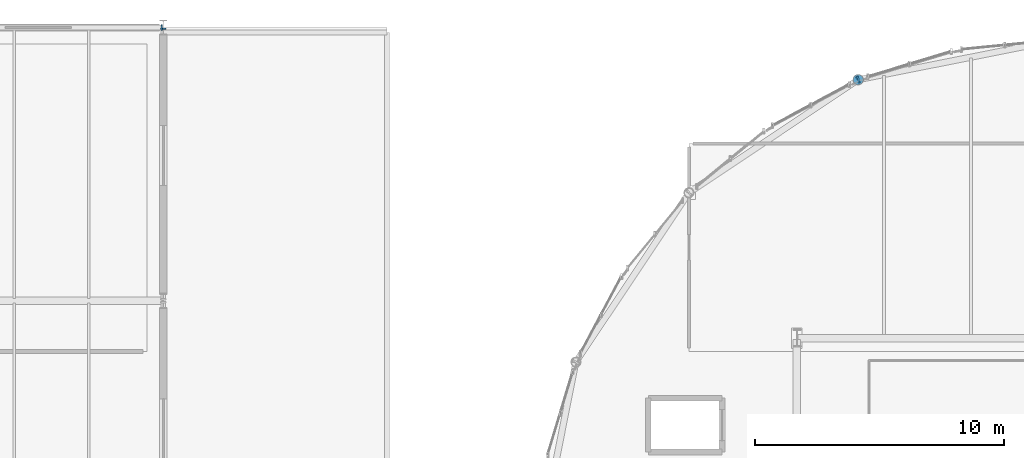
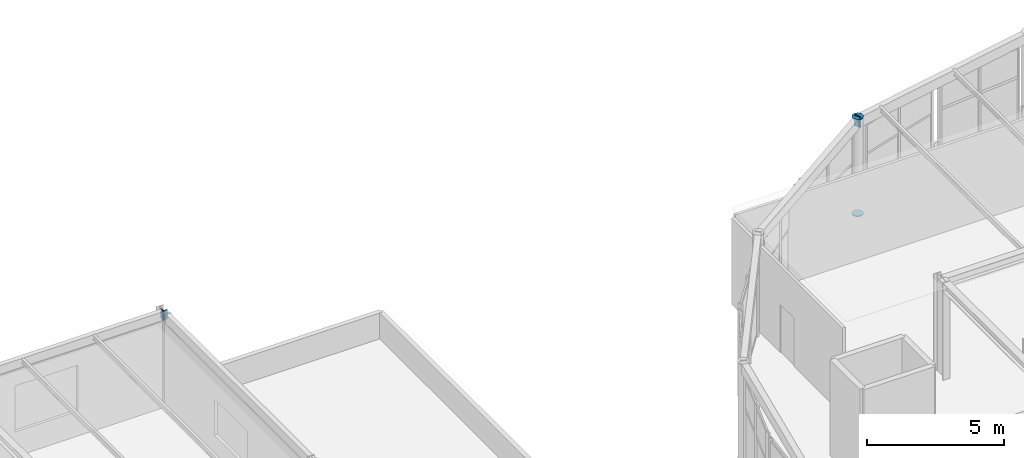
# One storey, part 85 of 105: 6 discrete accessories.
"""IFC4 building model written with IfcOpenShell, lengths in metres."""

import ifcopenshell
import ifcopenshell.guid

model = None  # the IFC model being written
_history = None  # IfcOwnerHistory: only IFC2X3 demands one
_inside = {}  # id of a spatial element -> (the spatial element, [elements in it])
_under = {}  # id of a project, library or spatial element -> (it, [spatial elements below it])
_declared = {}  # id of a project -> (the project, [libraries it declares])
_typed = {}  # id of a type object -> (the type object, [elements of that type])
_made_of = {}  # id of a material, layer set ... -> (it, [elements and type objects made of it])


def new_model(schema):
    """Start an empty IFC model of exactly this schema.

    Asked for "IFC4X3", IfcOpenShell would pick the latest addendum, in which some entities
    have other attributes; the version numbers below select the first issue.
    IFC2X3 requires an IfcOwnerHistory on every rooted entity: one is made here for all.
    """
    global model, _history
    if schema == "IFC4X3":
        model = ifcopenshell.file(schema_version=(4, 3, 0, 0))
    else:
        model = ifcopenshell.file(schema=schema)
    _inside.clear()
    _under.clear()
    _declared.clear()
    _typed.clear()
    _made_of.clear()
    _history = None
    if model.schema == "IFC2X3":
        org = make("IfcOrganization", Name="unknown")
        user = make(
            "IfcPersonAndOrganization",
            ThePerson=make("IfcPerson", FamilyName="unknown"),
            TheOrganization=org,
        )
        app = make(
            "IfcApplication",
            ApplicationDeveloper=org,
            Version="unknown",
            ApplicationFullName="unknown",
            ApplicationIdentifier="unknown",
        )
        _history = make(
            "IfcOwnerHistory",
            OwningUser=user,
            OwningApplication=app,
            ChangeAction="ADDED",
            CreationDate=0,
        )
    return model


def make(cls, **values):
    """One entity of the class cls with the attributes given. An attribute that is None is left unset."""
    return model.create_entity(
        cls, **{name: value for name, value in values.items() if value is not None}
    )


def rooted(cls, **values):
    """An entity with a GlobalId (a new one), such as an element, a storey or a relation."""
    return make(cls, GlobalId=ifcopenshell.guid.new(), OwnerHistory=_history, **values)


def si_unit(unit_type, name, prefix=None):
    """IfcSIUnit, for example si_unit("LENGTHUNIT", "METRE", prefix="MILLI")."""
    return make("IfcSIUnit", UnitType=unit_type, Prefix=prefix, Name=name)


def assignment(units):
    """IfcUnitAssignment: the units of a project."""
    return None if units is None else make("IfcUnitAssignment", Units=units)


def point(xyz):
    """IfcCartesianPoint."""
    return None if xyz is None else make("IfcCartesianPoint", Coordinates=xyz)


def direction(xyz):
    """IfcDirection."""
    return None if xyz is None else make("IfcDirection", DirectionRatios=xyz)


def frame(location, z_axis=None, x_axis=None):
    """IfcAxis2Placement3D, a coordinate frame: its origin and axes. An axis left out is left unset."""
    return make(
        "IfcAxis2Placement3D",
        Location=point(location),
        Axis=direction(z_axis),
        RefDirection=direction(x_axis),
    )


def frame_2d(location, x_axis=None):
    """IfcAxis2Placement2D, a coordinate frame in the plane: its origin and x axis."""
    return make(
        "IfcAxis2Placement2D", Location=point(location), RefDirection=direction(x_axis)
    )


def origin():
    """The frame at (0, 0, 0) with its axes left unset."""
    return frame((0.0, 0.0, 0.0))


def origin_2d():
    """The frame at (0, 0) in the plane with its x axis left unset."""
    return frame_2d((0.0, 0.0))


def place(relative_to, where):
    """IfcLocalPlacement: puts the frame where relative to a parent placement (None: the world)."""
    return make(
        "IfcLocalPlacement", PlacementRelTo=relative_to, RelativePlacement=where
    )


def context(
    kind, dimensions, precision=None, world=None, true_north=None, identifier=None
):
    """IfcGeometricRepresentationContext, for example the 3D "Model" context."""
    return make(
        "IfcGeometricRepresentationContext",
        ContextIdentifier=identifier,
        ContextType=kind,
        CoordinateSpaceDimension=dimensions,
        Precision=precision,
        WorldCoordinateSystem=world,
        TrueNorth=true_north,
    )


def subcontext(parent, identifier, kind, view, scale=None):
    """IfcGeometricRepresentationSubContext, for example "Body" below "Model"."""
    return make(
        "IfcGeometricRepresentationSubContext",
        ContextIdentifier=identifier,
        ContextType=kind,
        ParentContext=parent,
        TargetScale=scale,
        TargetView=view,
    )


def project(units=None, contexts=None):
    """IfcProject with its units and contexts."""
    return rooted(
        "IfcProject",
        Name="project",
        RepresentationContexts=contexts,
        UnitsInContext=assignment(units),
    )


def spatial(cls, under=None, at=None, **own):
    """A site, building, storey or space (cls), placed at a placement, below another one or the project."""
    s = rooted(cls, ObjectPlacement=at, **own)
    if under is not None:
        _under.setdefault(under.id(), (under, []))[1].append(s)
    return s


def profile(cls, at=None, kind="AREA", **sizes):
    """A parametric profile (cls). Its sizes go by their IFC names, for example OverallWidth=200.0."""
    return make(cls, ProfileType=kind, Position=at, **sizes)


def rectangle(**sizes):
    """IfcRectangleProfileDef."""
    return profile("IfcRectangleProfileDef", **sizes)


def circle(**sizes):
    """IfcCircleProfileDef."""
    return profile("IfcCircleProfileDef", **sizes)


def extrude(swept, where, along, depth):
    """IfcExtrudedAreaSolid: the profile swept, set in the frame where, extruded along a direction by depth."""
    return make(
        "IfcExtrudedAreaSolid",
        SweptArea=swept,
        Position=where,
        ExtrudedDirection=direction(along),
        Depth=depth,
    )


def shape(context_of_items, identifier, shape_type, items):
    """IfcShapeRepresentation: the items that make up one representation, for example the "Body"."""
    return make(
        "IfcShapeRepresentation",
        ContextOfItems=context_of_items,
        RepresentationIdentifier=identifier,
        RepresentationType=shape_type,
        Items=items,
    )


def material(Name=None, Category=None):
    """IfcMaterial."""
    return make("IfcMaterial", Name=Name, Category=Category)


def made_of(thing, what):
    """Note that an element or type object is made of a material, layer set ...; save() writes the relation."""
    if what is not None:
        _made_of.setdefault(what.id(), (what, []))[1].append(thing)
    return thing


def element(
    cls,
    number,
    at=None,
    inside=None,
    cuts=None,
    type_object=None,
    material=None,
    context=None,
    identifier="Body",
    shape_type=None,
    held_by="IfcProductDefinitionShape",
    body=None,
    shapes=None,
    **own,
):
    """One element of the class cls, such as IfcWall. Its Tag is "e" and its number.

    at: its placement. inside: the storey or other place that contains it. cuts: it is an
    opening in that element (IfcRelVoidsElement). A single representation is given by context,
    identifier, shape_type and body (its items); several are given by shapes. held_by: the class
    of the entity that holds the representations. save() writes the other relations.
    """
    e = rooted(cls, Tag="e%d" % number, ObjectPlacement=at, **own)
    if body is not None:
        shapes = [shape(context, identifier, shape_type, body)]
    if shapes is not None:
        e.Representation = make(held_by, Representations=shapes)
    if inside is not None:
        _inside.setdefault(inside.id(), (inside, []))[1].append(e)
    if cuts is not None:
        rooted(
            "IfcRelVoidsElement", RelatingBuildingElement=cuts, RelatedOpeningElement=e
        )
    if type_object is not None:
        _typed.setdefault(type_object.id(), (type_object, []))[1].append(e)
    return made_of(e, material)


def aggregate(whole, parts):
    """IfcRelAggregates: a whole, such as a stair, and the parts it consists of."""
    return rooted("IfcRelAggregates", RelatingObject=whole, RelatedObjects=parts)


def save(model, path):
    """Write the relations noted so far, then the file.

    IfcRelAggregates (storeys below a building ...), IfcRelContainedInSpatialStructure (elements
    in a storey), IfcRelDefinesByType, IfcRelAssociatesMaterial and IfcRelDeclares: one each for
    every whole, place, type object, material and project.
    """
    for whole, parts in _under.values():
        aggregate(whole, parts)
    for where, things in _inside.values():
        rooted(
            "IfcRelContainedInSpatialStructure",
            RelatedElements=things,
            RelatingStructure=where,
        )
    for kind, things in _typed.values():
        rooted("IfcRelDefinesByType", RelatedObjects=things, RelatingType=kind)
    for what, things in _made_of.values():
        rooted("IfcRelAssociatesMaterial", RelatedObjects=things, RelatingMaterial=what)
    for by, libraries in _declared.values():
        rooted("IfcRelDeclares", RelatingContext=by, RelatedDefinitions=libraries)
    model.write(path)


model = new_model("IFC4")

# Units and contexts
model_context = context("Model", 3, precision=1e-05, world=origin(), true_north=direction((0.0, 1.0)))
body_context = subcontext(model_context, "Body", "Model", "MODEL_VIEW")
ifc_project = project(units=[si_unit("LENGTHUNIT", "METRE"), si_unit("AREAUNIT", "SQUARE_METRE"), si_unit("VOLUMEUNIT", "CUBIC_METRE"), si_unit("PLANEANGLEUNIT", "RADIAN"), si_unit("MASSUNIT", "GRAM", prefix="KILO")], contexts=[model_context])

# Site, building, storey
site_placement = place(None, origin())
site = spatial("IfcSite", under=ifc_project, at=site_placement, CompositionType="ELEMENT")
building_placement = place(site_placement, origin())
building = spatial("IfcBuilding", under=site, at=building_placement, Name="Marlcrest Central Station", CompositionType="ELEMENT")
storey_placement = place(building_placement, frame((0.0, 0.0, 15.0)))
storey = spatial("IfcBuildingStorey", under=building, at=storey_placement, Name="L03", CompositionType="ELEMENT", Elevation=15.0)

# Discrete accessories
ifc_material = material(Name="Steel S355", Category="steel")
for number, where, z_axis, x_axis, name in (
    (1, (71.925048828125, 132.0, 4.034912109375), (1.0, 0.0, 0.0), (0.0, 1.0, 0.0), "endcap-bm-SP-01-L03-00499-e"),
    (2, (72.0, 131.925048828125, 4.034912109375), (0.0, 1.0, 0.0), (-1.0, 0.0, 0.0), "endcap-bm-SP-01-L03-00526-e"),
):
    element("IfcDiscreteAccessory", number, at=place(storey_placement, frame(where, z_axis=z_axis, x_axis=x_axis)), inside=storey, material=ifc_material, Name=name, ObjectType="END_CAP_PLATE", PredefinedType="BRACKET", context=body_context, shape_type="SweptSolid", body=[
        extrude(rectangle(XDim=0.216064453125, YDim=0.416015625, at=origin_2d()), origin(), (0.0, 0.0, 1.0), 0.0400390625),
    ])
for number, where, z_axis, x_axis, name in (
    (3, (99.964111328125, 129.90087890625, -0.014892578125), (0.0, 0.0, 1.0), (1.0, 0.0, 0.0), "endcap-col-SC-10-L03-0854-s"),
    (4, (99.964111328125, 129.90087890625, 4.28515625), (0.0, 0.0, 1.0), (1.0, 0.0, 0.0), "endcap-col-SC-10-L03-0854-e"),
):
    element("IfcDiscreteAccessory", number, at=place(storey_placement, frame(where, z_axis=z_axis, x_axis=x_axis)), inside=storey, material=ifc_material, Name=name, ObjectType="END_CAP_PLATE", PredefinedType="BRACKET", context=body_context, shape_type="SweptSolid", body=[
        extrude(circle(Radius=0.211181640625, at=origin_2d()), origin(), (0.0, 0.0, 1.0), 0.0400390625),
    ])
for number, where, z_axis, x_axis, name in (
    (5, (99.943359375, 129.886962890625, 4.10009765625), (0.831508991937, 0.55551129271, 0.0), (-0.55551129271, 0.831508991937, 0.0), "endcap-bm-SP-02-L03-01520-e"),
    (6, (99.949462890625, 129.89794921875, 4.10009765625), (0.980769316421, 0.19517056122, 0.0), (-0.19517056122, 0.980769316421, 0.0), "endcap-bm-SP-02-L03-01521-s"),
):
    element("IfcDiscreteAccessory", number, at=place(storey_placement, frame(where, z_axis=z_axis, x_axis=x_axis)), inside=storey, material=ifc_material, Name=name, ObjectType="END_CAP_PLATE", PredefinedType="BRACKET", context=body_context, shape_type="SweptSolid", body=[
        extrude(rectangle(XDim=0.26611328125, YDim=0.466064453125, at=origin_2d()), origin(), (0.0, 0.0, 1.0), 0.0400390625),
    ])

save(model, "model.ifc")
